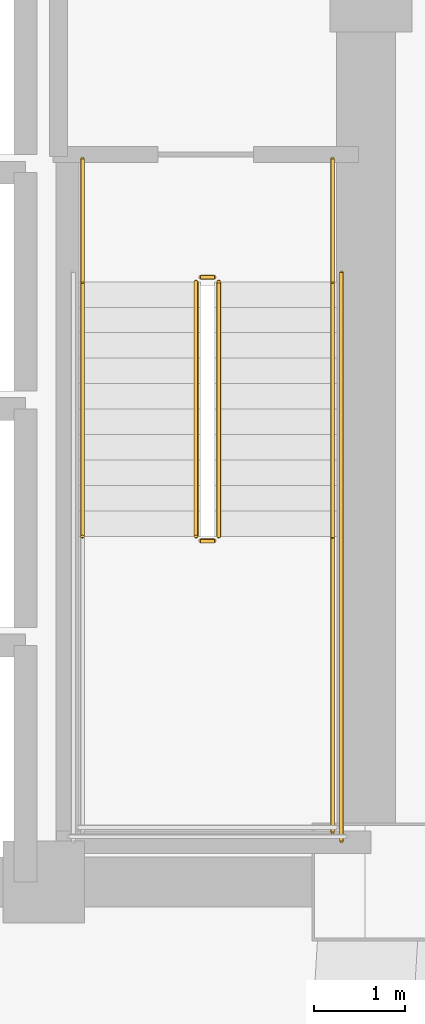
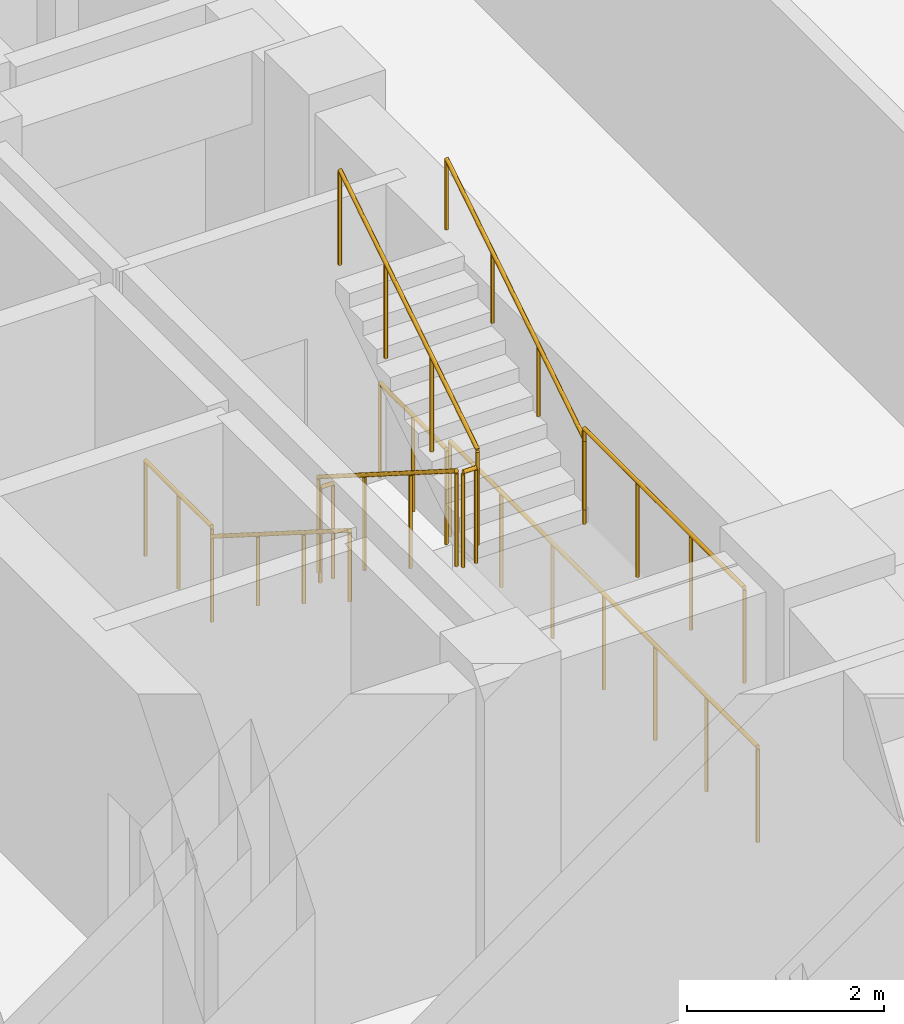
# One storey, part 17 of 18: 10 railings.
"""IFC4 building model written with IfcOpenShell, lengths in metres."""

from ifc_helpers import new_model, si_unit, direction, frame, origin, origin_2d, place, context, subcontext, project, spatial, circle, extrude, material, type_object, element, save


model = new_model("IFC4")

# Units and contexts
model_context = context("Model", 3, precision=1e-05, world=origin(), true_north=direction((0.0, 1.0)))
body_context = subcontext(model_context, "Body", "Model", "MODEL_VIEW")
ifc_project = project(units=[si_unit("LENGTHUNIT", "METRE"), si_unit("AREAUNIT", "SQUARE_METRE"), si_unit("VOLUMEUNIT", "CUBIC_METRE"), si_unit("PLANEANGLEUNIT", "RADIAN"), si_unit("MASSUNIT", "GRAM", prefix="KILO")], contexts=[model_context])

# Site, building, storey
site_placement = place(None, origin())
site = spatial("IfcSite", under=ifc_project, at=site_placement, CompositionType="ELEMENT")
building_placement = place(site_placement, origin())
building = spatial("IfcBuilding", under=site, at=building_placement, Name="Voryun Gate Residences", CompositionType="ELEMENT")
storey_placement = place(building_placement, frame((0.0, 0.0, 85.800048828125)))
storey = spatial("IfcBuildingStorey", under=building, at=storey_placement, Name="L20", CompositionType="ELEMENT", Elevation=85.800048828125)

# Railings
ifc_material_1 = material(Name="Painted steel", Category="steel")
railing_type_1 = type_object("IfcRailingType", Name="RAIL_STAIR_GUARD_1200", PredefinedType="GUARDRAIL", material=ifc_material_1)
railing_1_placement = place(storey_placement, frame((17.27490234375, -0.800048828125, 0.17724609375)))
element("IfcRailing", 1, at=railing_1_placement, inside=storey, type_object=railing_type_1, Name="L20 ST-E1 stair guard 1", PredefinedType="GUARDRAIL", context=body_context, shape_type="SweptSolid", body=[
    extrude(circle(Radius=0.02392578125, at=origin_2d()), frame((0.0, 0.0, 1.17578125), z_axis=(0.0, -0.844908973607, 0.534910110503), x_axis=(1.0, 0.0, 0.0)), (0.0, 0.0, 1.0), 3.31396484375),
    extrude(circle(Radius=0.02099609375, at=origin_2d()), origin(), (0.0, 0.0, 1.0), 1.15185546875),
    extrude(circle(Radius=0.02099609375, at=origin_2d()), frame((0.0, -0.933349609375, 0.5908203125)), (0.0, 0.0, 1.0), 1.15185546875),
    extrude(circle(Radius=0.02099609375, at=origin_2d()), frame((0.0, -1.86669921875, 1.181884765625)), (0.0, 0.0, 1.0), 1.15185546875),
    extrude(circle(Radius=0.02099609375, at=origin_2d()), frame((0.0, -2.800048828125, 1.772705078125)), (0.0, 0.0, 1.0), 1.15185546875),
])
railing_2_placement = place(storey_placement, frame((17.324951171875, -3.64990234375, 1.949951171875)))
element("IfcRailing", 2, at=railing_2_placement, inside=storey, type_object=railing_type_1, Name="L20 ST-E1 stair guard 2", PredefinedType="GUARDRAIL", context=body_context, shape_type="SweptSolid", body=[
    extrude(circle(Radius=0.02392578125, at=origin_2d()), frame((0.0, 0.0, 1.17578125), z_axis=(1.0, 0.0, 0.0), x_axis=(0.0, 1.0, 0.0)), (0.0, 0.0, 1.0), 0.150146484375),
    extrude(circle(Radius=0.02099609375, at=origin_2d()), origin(), (0.0, 0.0, 1.0), 1.15185546875),
    extrude(circle(Radius=0.02099609375, at=origin_2d()), frame((0.150146484375, 0.0, 0.0)), (0.0, 0.0, 1.0), 1.15185546875),
])
railing_3_placement = place(storey_placement, frame((18.77490234375, -3.60009765625, 1.949951171875)))
element("IfcRailing", 3, at=railing_3_placement, inside=storey, type_object=railing_type_1, Name="L20 ST-E1 stair guard 4", PredefinedType="GUARDRAIL", context=body_context, shape_type="SweptSolid", body=[
    extrude(circle(Radius=0.02392578125, at=origin_2d()), frame((0.0, 0.0, 1.17578125), z_axis=(0.0, -1.0, 0.0), x_axis=(1.0, 0.0, 0.0)), (0.0, 0.0, 1.0), 3.25),
    extrude(circle(Radius=0.02099609375, at=origin_2d()), origin(), (0.0, 0.0, 1.0), 1.15185546875),
    extrude(circle(Radius=0.02099609375, at=origin_2d()), frame((0.0, -1.083251953125, 0.0)), (0.0, 0.0, 1.0), 1.15185546875),
    extrude(circle(Radius=0.02099609375, at=origin_2d()), frame((0.0, -2.166748046875, 0.0)), (0.0, 0.0, 1.0), 1.15185546875),
    extrude(circle(Radius=0.02099609375, at=origin_2d()), frame((0.0, -3.25, 0.0)), (0.0, 0.0, 1.0), 1.15185546875),
])
railing_4_placement = place(storey_placement, frame((17.52490234375, -3.60009765625, 2.127197265625)))
element("IfcRailing", 4, at=railing_4_placement, inside=storey, type_object=railing_type_1, Name="L20 ST-E1 stair guard 6", PredefinedType="GUARDRAIL", context=body_context, shape_type="SweptSolid", body=[
    extrude(circle(Radius=0.02392578125, at=origin_2d()), frame((0.0, 0.0, 1.17578125), z_axis=(0.0, 0.844908973607, 0.534910110503), x_axis=(-1.0, 0.0, 0.0)), (0.0, 0.0, 1.0), 3.31396484375),
    extrude(circle(Radius=0.02099609375, at=origin_2d()), origin(), (0.0, 0.0, 1.0), 1.15185546875),
    extrude(circle(Radius=0.02099609375, at=origin_2d()), frame((0.0, 0.933349609375, 0.5908203125)), (0.0, 0.0, 1.0), 1.15185546875),
    extrude(circle(Radius=0.02099609375, at=origin_2d()), frame((0.0, 1.86669921875, 1.181884765625)), (0.0, 0.0, 1.0), 1.15185546875),
    extrude(circle(Radius=0.02099609375, at=origin_2d()), frame((0.0, 2.800048828125, 1.772705078125)), (0.0, 0.0, 1.0), 1.15185546875),
])
railing_5_placement = place(storey_placement, frame((17.324951171875, -0.75, 0.0)))
element("IfcRailing", 5, at=railing_5_placement, inside=storey, type_object=railing_type_1, Name="L20 ST-E1 stair guard 7", PredefinedType="GUARDRAIL", context=body_context, shape_type="SweptSolid", body=[
    extrude(circle(Radius=0.02392578125, at=origin_2d()), frame((0.0, 0.0, 1.17578125), z_axis=(1.0, 0.0, 0.0), x_axis=(0.0, 1.0, 0.0)), (0.0, 0.0, 1.0), 0.150146484375),
    extrude(circle(Radius=0.02099609375, at=origin_2d()), origin(), (0.0, 0.0, 1.0), 1.15185546875),
    extrude(circle(Radius=0.02099609375, at=origin_2d()), frame((0.150146484375, 0.0, 0.0)), (0.0, 0.0, 1.0), 1.15185546875),
])
for number, where, name in (
    (6, (16.02490234375, 0.550048828125, 0.0), "L20 ST-E1 stair guard 8"),
    (7, (18.77490234375, 0.550048828125, 0.0), "L20 ST-E1 stair guard 9"),
):
    element("IfcRailing", number, at=place(storey_placement, frame(where)), inside=storey, type_object=railing_type_1, Name=name, PredefinedType="GUARDRAIL", context=body_context, shape_type="SweptSolid", body=[
        extrude(circle(Radius=0.02392578125, at=origin_2d()), frame((0.0, 0.0, 1.17578125), z_axis=(0.0, -1.0, 0.0), x_axis=(1.0, 0.0, 0.0)), (0.0, 0.0, 1.0), 1.35009765625),
        extrude(circle(Radius=0.02099609375, at=origin_2d()), origin(), (0.0, 0.0, 1.0), 1.15185546875),
        extrude(circle(Radius=0.02099609375, at=origin_2d()), frame((0.0, -0.675048828125, 0.0)), (0.0, 0.0, 1.0), 1.15185546875),
        extrude(circle(Radius=0.02099609375, at=origin_2d()), frame((0.0, -1.35009765625, 0.0)), (0.0, 0.0, 1.0), 1.15185546875),
    ])
railing_6_placement = place(storey_placement, frame((18.875, -0.699951171875, 0.0)))
element("IfcRailing", 8, at=railing_6_placement, inside=storey, type_object=railing_type_1, Name="L20 ST-E1 stair guard 11", PredefinedType="GUARDRAIL", context=body_context, shape_type="SweptSolid", body=[
    extrude(circle(Radius=0.02392578125, at=origin_2d()), frame((0.0, 0.0, 1.17578125), z_axis=(0.0, -1.0, 0.0), x_axis=(1.0, 0.0, 0.0)), (0.0, 0.0, 1.0), 6.25),
    extrude(circle(Radius=0.02099609375, at=origin_2d()), origin(), (0.0, 0.0, 1.0), 1.15185546875),
    extrude(circle(Radius=0.02099609375, at=origin_2d()), frame((0.0, -1.041748046875, 0.0)), (0.0, 0.0, 1.0), 1.15185546875),
    extrude(circle(Radius=0.02099609375, at=origin_2d()), frame((0.0, -2.083251953125, 0.0)), (0.0, 0.0, 1.0), 1.15185546875),
    extrude(circle(Radius=0.02099609375, at=origin_2d()), frame((0.0, -3.125, 0.0)), (0.0, 0.0, 1.0), 1.15185546875),
    extrude(circle(Radius=0.02099609375, at=origin_2d()), frame((0.0, -4.166748046875, 0.0)), (0.0, 0.0, 1.0), 1.15185546875),
    extrude(circle(Radius=0.02099609375, at=origin_2d()), frame((0.0, -5.208251953125, 0.0)), (0.0, 0.0, 1.0), 1.15185546875),
    extrude(circle(Radius=0.02099609375, at=origin_2d()), frame((0.0, -6.25, 0.0)), (0.0, 0.0, 1.0), 1.15185546875),
])
ifc_material_2 = material(Name="Painted steel", Category="steel")
railing_type_2 = type_object("IfcRailingType", Name="RAIL_STAIR_HANDRAIL_900", PredefinedType="HANDRAIL", material=ifc_material_2)
railing_7_placement = place(storey_placement, frame((16.02490234375, -0.800048828125, 0.17724609375)))
element("IfcRailing", 9, at=railing_7_placement, inside=storey, type_object=railing_type_2, Name="L20 ST-E1 stair handrail 1", PredefinedType="HANDRAIL", context=body_context, shape_type="SweptSolid", body=[
    extrude(circle(Radius=0.02392578125, at=origin_2d()), frame((0.0, 0.0, 0.8759765625), z_axis=(0.0, -0.844908973607, 0.534910110503), x_axis=(1.0, 0.0, 0.0)), (0.0, 0.0, 1.0), 3.31396484375),
    extrude(circle(Radius=0.02099609375, at=origin_2d()), origin(), (0.0, 0.0, 1.0), 0.851806640625),
    extrude(circle(Radius=0.02099609375, at=origin_2d()), frame((0.0, -0.933349609375, 0.5908203125)), (0.0, 0.0, 1.0), 0.851806640625),
    extrude(circle(Radius=0.02099609375, at=origin_2d()), frame((0.0, -1.86669921875, 1.181884765625)), (0.0, 0.0, 1.0), 0.851806640625),
    extrude(circle(Radius=0.02099609375, at=origin_2d()), frame((0.0, -2.800048828125, 1.772705078125)), (0.0, 0.0, 1.0), 0.851806640625),
])
railing_8_placement = place(storey_placement, frame((18.77490234375, -3.60009765625, 2.127197265625)))
element("IfcRailing", 10, at=railing_8_placement, inside=storey, type_object=railing_type_2, Name="L20 ST-E1 stair handrail 2", PredefinedType="HANDRAIL", context=body_context, shape_type="SweptSolid", body=[
    extrude(circle(Radius=0.02392578125, at=origin_2d()), frame((0.0, 0.0, 0.8759765625), z_axis=(0.0, 0.844908973607, 0.534910110503), x_axis=(-1.0, 0.0, 0.0)), (0.0, 0.0, 1.0), 3.31396484375),
    extrude(circle(Radius=0.02099609375, at=origin_2d()), origin(), (0.0, 0.0, 1.0), 0.851806640625),
    extrude(circle(Radius=0.02099609375, at=origin_2d()), frame((0.0, 0.933349609375, 0.5908203125)), (0.0, 0.0, 1.0), 0.851806640625),
    extrude(circle(Radius=0.02099609375, at=origin_2d()), frame((0.0, 1.86669921875, 1.181884765625)), (0.0, 0.0, 1.0), 0.851806640625),
    extrude(circle(Radius=0.02099609375, at=origin_2d()), frame((0.0, 2.800048828125, 1.772705078125)), (0.0, 0.0, 1.0), 0.851806640625),
])

save(model, "model.ifc")
